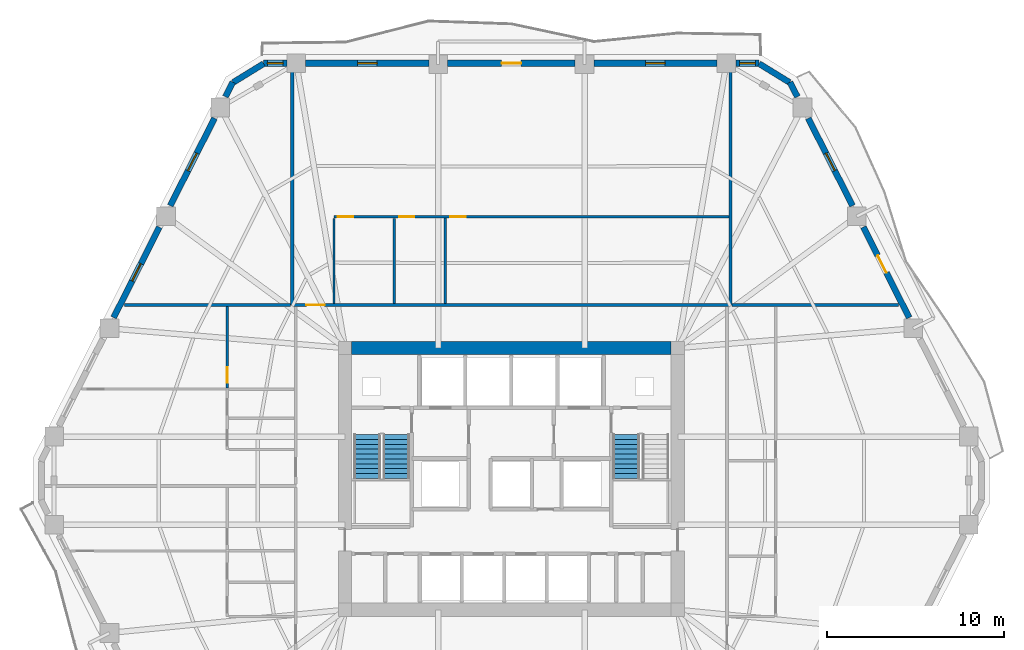
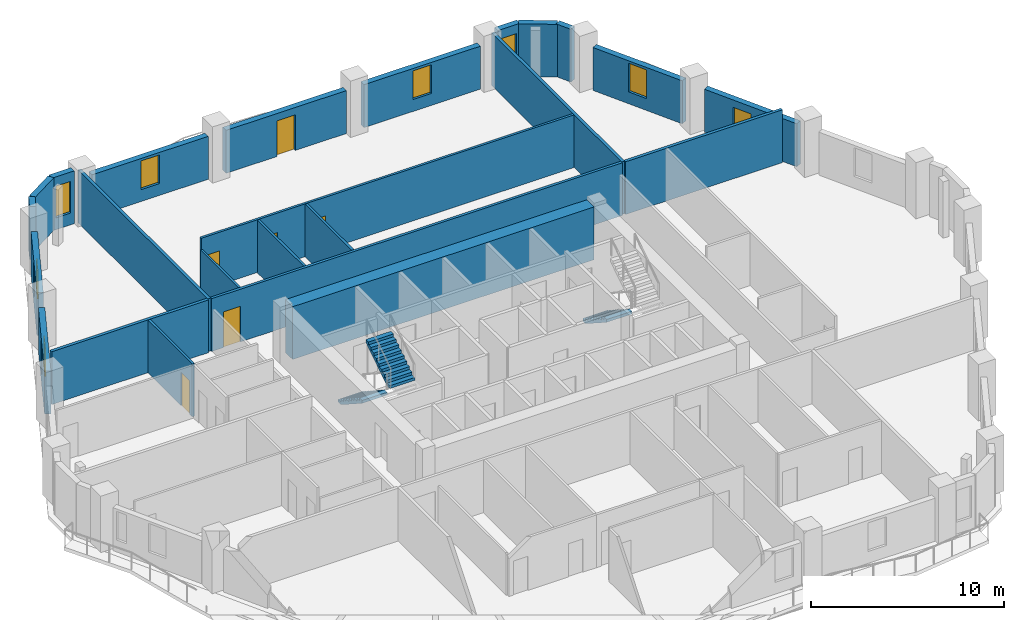
# One storey, part 7 of 11: 24 walls, 7 doors, 7 windows, 3 stair flights, 14 openings, 2 elements without a shape of their own.
"""IFC4 building model written with IfcOpenShell, lengths in metres."""

from ifc_helpers import new_model, si_unit, direction, frame, frame_2d, origin, place, context, subcontext, project, spatial, polyline, rectangle, outline, extrude, material, layer, layer_set, type_object, element, fill, aggregate, save


model = new_model("IFC4")

# Units and contexts
model_context = context("Model", 3, precision=1e-05, world=origin(), true_north=direction((0.0, 1.0)))
body_context = subcontext(model_context, "Body", "Model", "MODEL_VIEW")
ifc_project = project(units=[si_unit("LENGTHUNIT", "METRE"), si_unit("AREAUNIT", "SQUARE_METRE"), si_unit("VOLUMEUNIT", "CUBIC_METRE"), si_unit("PLANEANGLEUNIT", "RADIAN"), si_unit("MASSUNIT", "GRAM", prefix="KILO")], contexts=[model_context])

# Site, building, storey
site_placement = place(None, origin())
site = spatial("IfcSite", under=ifc_project, at=site_placement, CompositionType="ELEMENT")
building_placement = place(site_placement, origin())
building = spatial("IfcBuilding", under=site, at=building_placement, Name="Cinnabar Lancet Tower", CompositionType="ELEMENT")
storey_placement = place(building_placement, frame((0.0, 0.0, 90.64990234375)))
storey = spatial("IfcBuildingStorey", under=building, at=storey_placement, Name="L23", CompositionType="ELEMENT", Elevation=90.64990234375)

# Wall, opening, door
ifc_material_1 = material(Name="Acoustic twin-stud gypsum partition", Category="gypsum")
ifc_layer_1 = layer(ifc_material_1, 0.159912109375)
ifc_layer_set_1 = layer_set([ifc_layer_1], Name="Acoustic twin-stud gypsum partition")
wall_type_1 = type_object("IfcWallType", Name="ARC-WL-CORR-160", PredefinedType="PARTITIONING", material=ifc_layer_set_1)
wall_1_placement = place(storey_placement, frame((20.14501953125, 35.699951171875, 0.0), z_axis=(0.0, 0.0, 1.0), x_axis=(1.0, 0.0, 0.0)))
wall_1 = element("IfcWall", 1, at=wall_1_placement, inside=storey, type_object=wall_type_1, Name="L23 Unit N01 Corridor Wall", PredefinedType="PARTITIONING", context=body_context, shape_type="SweptSolid", body=[
    extrude(rectangle(XDim=24.510009765625, YDim=0.159912109375, at=frame_2d((12.2548828125, 0.0))), origin(), (0.0, 0.0, 1.0), 3.330078125),
])
opening_1_placement = place(wall_1_placement, frame((0.705078125, 0.0, 0.0)))
opening_1 = element("IfcOpeningElement", 2, at=opening_1_placement, cuts=wall_1, Name="Opening UD-01", PredefinedType="OPENING", context=body_context, shape_type="SweptSolid", body=[
    extrude(rectangle(XDim=1.02001953125, YDim=2.25, at=frame_2d((0.510009765625, 1.125))), frame((0.0, 0.08984375, 0.0), z_axis=(0.0, -1.0, 0.0), x_axis=(1.0, 0.0, 0.0)), (0.0, 0.0, 1.0), 0.179931640625),
])
ifc_material_2 = material(Name="Solid timber fire-rated apartment entrance door", Category="wood")
door_type_1 = type_object("IfcDoorType", Name="ARC-DR-UNIT", OperationType="NOTDEFINED", PredefinedType="DOOR", material=ifc_material_2)
door_1_placement = place(opening_1_placement, origin())
door_1 = element("IfcDoor", 3, at=door_1_placement, inside=storey, type_object=door_type_1, Name="DR-L23-N01-ENT", OperationType="SINGLE_SWING_RIGHT", OverallHeight=2.25, OverallWidth=1.02001953125, PredefinedType="DOOR", context=body_context, shape_type="SweptSolid", body=[
    extrude(rectangle(XDim=1.02001953125, YDim=2.25, at=frame_2d((0.510009765625, 1.125))), frame((0.0, 0.02490234375, 0.0), z_axis=(0.0, -1.0, 0.0), x_axis=(1.0, 0.0, 0.0)), (0.0, 0.0, 1.0), 0.050048828125),
])
fill(opening_1, door_1)

# Walls
ifc_material_3 = material(Name="Fire-rated twin-frame acoustic drywall", Category="gypsum")
ifc_layer_2 = layer(ifc_material_3, 0.179931640625)
ifc_layer_set_2 = layer_set([ifc_layer_2], Name="Fire-rated twin-frame acoustic drywall")
wall_type_2 = type_object("IfcWallType", Name="ARC-WL-PARTY-180", PredefinedType="PARTITIONING", material=ifc_layer_set_2)
for number, where, z_axis, x_axis, name in (
    (4, (20.050048828125, 35.699951171875, 0.0), (0.0, 0.0, 1.0), (0.0, 1.0, 0.0), "PW-L23-NPTY-200"),
    (5, (44.75, 35.699951171875, 0.0), (0.0, 0.0, 1.0), (0.0, 1.0, 0.0), "PW-L23-NPTY-448"),
):
    element("IfcWall", number, at=place(storey_placement, frame(where, z_axis=z_axis, x_axis=x_axis)), inside=storey, type_object=wall_type_2, Name=name, PredefinedType="PARTITIONING", context=body_context, shape_type="SweptSolid", body=[
        extrude(rectangle(XDim=13.445068359375, YDim=0.179931640625, at=frame_2d((6.72265625, 0.0))), origin(), (0.0, 0.0, 1.0), 3.330078125),
    ])
for number, where, z_axis, x_axis, name in (
    (6, (10.589111328125, 35.699951171875, 0.0), (0.0, 0.0, 1.0), (1.0, 0.0, 0.0), "PW-L23-WNB"),
    (7, (44.844970703125, 35.699951171875, 0.0), (0.0, 0.0, 1.0), (1.0, 0.0, 0.0), "PW-L23-ENB"),
):
    element("IfcWall", number, at=place(storey_placement, frame(where, z_axis=z_axis, x_axis=x_axis)), inside=storey, type_object=wall_type_2, Name=name, PredefinedType="PARTITIONING", context=body_context, shape_type="SweptSolid", body=[
        extrude(rectangle(XDim=9.365966796875, YDim=0.179931640625, at=frame_2d((4.68310546875, 0.0))), origin(), (0.0, 0.0, 1.0), 3.330078125),
    ])
ifc_material_4 = material(Name="Gypsum plasterboard stud partition", Category="gypsum")
ifc_layer_3 = layer(ifc_material_4, 0.125)
ifc_layer_set_3 = layer_set([ifc_layer_3], Name="Gypsum plasterboard stud partition")
wall_type_3 = type_object("IfcWallType", Name="ARC-WL-UNIT-125", PredefinedType="PARTITIONING", material=ifc_layer_set_3)
wall_2_placement = place(storey_placement, frame((22.39990234375, 35.784912109375, 0.0), z_axis=(0.0, 0.0, 1.0), x_axis=(0.0, 1.0, 0.0)))
element("IfcWall", 8, at=wall_2_placement, inside=storey, type_object=wall_type_3, Name="UW-L23-N01-FOYE", PredefinedType="PARTITIONING", context=body_context, shape_type="SweptSolid", body=[
    extrude(rectangle(XDim=4.78515625, YDim=0.125, at=frame_2d((2.392578125, 0.0))), origin(), (0.0, 0.0, 1.0), 2.63720703125),
])

# Wall, openings, doors
ifc_material_5 = material(Name="Moisture-resistant cement-board plumbing wall", Category="masonry")
ifc_layer_4 = layer(ifc_material_5, 0.139892578125)
ifc_layer_set_4 = layer_set([ifc_layer_4], Name="Moisture-resistant cement-board plumbing wall")
wall_type_4 = type_object("IfcWallType", Name="ARC-WL-WET-140", PredefinedType="PLUMBINGWALL", material=ifc_layer_set_4)
wall_3_placement = place(storey_placement, frame((22.39990234375, 40.675048828125, 0.0), z_axis=(0.0, 0.0, 1.0), x_axis=(1.0, 0.0, 0.0)))
wall_3 = element("IfcWall", 9, at=wall_3_placement, inside=storey, type_object=wall_type_4, Name="UW-L23-N01-SPL", PredefinedType="PLUMBINGWALL", context=body_context, shape_type="SweptSolid", body=[
    extrude(rectangle(XDim=22.255126953125, YDim=0.139892578125, at=frame_2d((11.12744140625, 0.0))), origin(), (0.0, 0.0, 1.0), 3.330078125),
])
opening_2_placement = place(wall_3_placement, frame((3.679931640625, 0.0, 0.0)))
opening_2 = element("IfcOpeningElement", 10, at=opening_2_placement, cuts=wall_3, Name="Opening BD-01", PredefinedType="OPENING", context=body_context, shape_type="SweptSolid", body=[
    extrude(rectangle(XDim=0.860107421875, YDim=2.10009765625, at=frame_2d((0.43017578125, 1.050048828125))), frame((0.0, 0.079833984375, 0.0), z_axis=(0.0, -1.0, 0.0), x_axis=(1.0, 0.0, 0.0)), (0.0, 0.0, 1.0), 0.159912109375),
])
opening_3_placement = place(wall_3_placement, frame((6.5458984375, 0.0, 0.0)))
opening_3 = element("IfcOpeningElement", 11, at=opening_3_placement, cuts=wall_3, Name="Opening RD-02", PredefinedType="OPENING", context=body_context, shape_type="SweptSolid", body=[
    extrude(rectangle(XDim=0.8798828125, YDim=2.14990234375, at=frame_2d((0.43994140625, 1.074951171875))), frame((0.0, 0.079833984375, 0.0), z_axis=(0.0, -1.0, 0.0), x_axis=(1.0, 0.0, 0.0)), (0.0, 0.0, 1.0), 0.159912109375),
])
opening_4_placement = place(wall_3_placement, frame((0.219970703125, 0.0, 0.0)))
opening_4 = element("IfcOpeningElement", 12, at=opening_4_placement, cuts=wall_3, Name="Opening RD-02", PredefinedType="OPENING", context=body_context, shape_type="SweptSolid", body=[
    extrude(rectangle(XDim=0.8798828125, YDim=2.14990234375, at=frame_2d((0.43994140625, 1.074951171875))), frame((0.0, 0.079833984375, 0.0), z_axis=(0.0, -1.0, 0.0), x_axis=(1.0, 0.0, 0.0)), (0.0, 0.0, 1.0), 0.159912109375),
])
ifc_material_6 = material(Name="Moisture-resistant timber bathroom door", Category="wood")
door_type_2 = type_object("IfcDoorType", Name="ARC-DR-BATH", OperationType="NOTDEFINED", PredefinedType="DOOR", material=ifc_material_6)
door_2_placement = place(opening_2_placement, origin())
door_2 = element("IfcDoor", 13, at=door_2_placement, inside=storey, type_object=door_type_2, Name="DR-L23-N01-BTH", OperationType="SINGLE_SWING_RIGHT", OverallHeight=2.10009765625, OverallWidth=0.860107421875, PredefinedType="DOOR", context=body_context, shape_type="SweptSolid", body=[
    extrude(rectangle(XDim=0.860107421875, YDim=2.10009765625, at=frame_2d((0.43017578125, 1.050048828125))), frame((0.0, 0.02490234375, 0.0), z_axis=(0.0, -1.0, 0.0), x_axis=(1.0, 0.0, 0.0)), (0.0, 0.0, 1.0), 0.050048828125),
])
fill(opening_2, door_2)
ifc_material_7 = material(Name="Engineered timber study door", Category="wood")
door_type_3 = type_object("IfcDoorType", Name="ARC-DR-STUDY", OperationType="NOTDEFINED", PredefinedType="DOOR", material=ifc_material_7)
door_3_placement = place(opening_3_placement, origin())
door_3 = element("IfcDoor", 14, at=door_3_placement, inside=storey, type_object=door_type_3, Name="DR-L23-N01-BTH-WDR", OperationType="SINGLE_SWING_LEFT", OverallHeight=2.14990234375, OverallWidth=0.8798828125, PredefinedType="DOOR", context=body_context, shape_type="SweptSolid", body=[
    extrude(rectangle(XDim=0.8798828125, YDim=2.14990234375, at=frame_2d((0.43994140625, 1.074951171875))), frame((0.0, 0.02490234375, 0.0), z_axis=(0.0, -1.0, 0.0), x_axis=(1.0, 0.0, 0.0)), (0.0, 0.0, 1.0), 0.050048828125),
])
fill(opening_3, door_3)
door_4_placement = place(opening_4_placement, origin())
door_4 = element("IfcDoor", 15, at=door_4_placement, inside=storey, type_object=door_type_3, Name="DR-L23-N01-KIT", OperationType="SINGLE_SWING_LEFT", OverallHeight=2.14990234375, OverallWidth=0.8798828125, PredefinedType="DOOR", context=body_context, shape_type="SweptSolid", body=[
    extrude(rectangle(XDim=0.8798828125, YDim=2.14990234375, at=frame_2d((0.43994140625, 1.074951171875))), frame((0.0, 0.02490234375, 0.0), z_axis=(0.0, -1.0, 0.0), x_axis=(1.0, 0.0, 0.0)), (0.0, 0.0, 1.0), 0.050048828125),
])
fill(opening_4, door_4)

# Walls
wall_4_placement = place(storey_placement, frame((25.800048828125, 35.784912109375, 0.0), z_axis=(0.0, 0.0, 1.0), x_axis=(0.0, 1.0, 0.0)))
element("IfcWall", 16, at=wall_4_placement, inside=storey, type_object=wall_type_4, Name="UW-L23-N01-KDV", PredefinedType="PLUMBINGWALL", context=body_context, shape_type="SweptSolid", body=[
    extrude(rectangle(XDim=4.78515625, YDim=0.139892578125, at=frame_2d((2.392578125, 0.0))), origin(), (0.0, 0.0, 1.0), 3.330078125),
])
wall_5_placement = place(storey_placement, frame((28.666015625, 35.784912109375, 0.0), z_axis=(0.0, 0.0, 1.0), x_axis=(0.0, 1.0, 0.0)))
element("IfcWall", 17, at=wall_5_placement, inside=storey, type_object=wall_type_4, Name="UW-L23-N01-BTH-WDV", PredefinedType="PLUMBINGWALL", context=body_context, shape_type="SweptSolid", body=[
    extrude(rectangle(XDim=4.80517578125, YDim=0.139892578125, at=frame_2d((2.402587890625, 0.0))), origin(), (0.0, 0.0, 1.0), 3.330078125),
])

# Wall, opening, door
wall_6_placement = place(storey_placement, frame((16.39990234375, 31.028076171875, 0.0), z_axis=(0.0, 0.0, 1.0), x_axis=(0.0, 1.0, 0.0)))
wall_6 = element("IfcWall", 18, at=wall_6_placement, inside=storey, type_object=wall_type_4, Name="UW-L23-W02-SPM", PredefinedType="PLUMBINGWALL", context=body_context, shape_type="SweptSolid", body=[
    extrude(rectangle(XDim=4.576904296875, YDim=0.139892578125, at=frame_2d((2.28857421875, 0.0))), origin(), (0.0, 0.0, 1.0), 3.330078125),
])
opening_5_placement = place(wall_6_placement, frame((0.300048828125, 0.0, 0.0)))
opening_5 = element("IfcOpeningElement", 19, at=opening_5_placement, cuts=wall_6, Name="Opening BD-01", PredefinedType="OPENING", context=body_context, shape_type="SweptSolid", body=[
    extrude(rectangle(XDim=0.860107421875, YDim=2.10009765625, at=frame_2d((0.43017578125, 1.050048828125))), frame((0.0, 0.079833984375, 0.0), z_axis=(0.0, -1.0, 0.0), x_axis=(1.0, 0.0, 0.0)), (0.0, 0.0, 1.0), 0.159912109375),
])
door_5_placement = place(opening_5_placement, origin())
door_5 = element("IfcDoor", 20, at=door_5_placement, inside=storey, type_object=door_type_2, Name="DR-L23-W02-ENS", OperationType="SINGLE_SWING_RIGHT", OverallHeight=2.10009765625, OverallWidth=0.860107421875, PredefinedType="DOOR", context=body_context, shape_type="SweptSolid", body=[
    extrude(rectangle(XDim=0.860107421875, YDim=2.10009765625, at=frame_2d((0.43017578125, 1.050048828125))), frame((0.0, 0.02490234375, 0.0), z_axis=(0.0, -1.0, 0.0), x_axis=(1.0, 0.0, 0.0)), (0.0, 0.0, 1.0), 0.050048828125),
])
fill(opening_5, door_5)

# Walls
ifc_material_8 = material(Name="Cinnabar red clay brick", Category="masonry")
ifc_layer_5 = layer(ifc_material_8, 0.340087890625)
ifc_layer_set_5 = layer_set([ifc_layer_5], Name="Cinnabar red clay brick")
wall_type_5 = type_object("IfcWallType", Name="ENV-WL-BRK-RED-340", PredefinedType="STANDARD", material=ifc_layer_set_5)
for number, where, z_axis, x_axis, name in (
    (21, (48.080078125, 48.238037109375, 0.0), (0.0, 0.0, 1.0), (-0.851870104345, 0.523753114857, 0.0), "L23 Chamfered Corner Brick Pier 4.1"),
    (22, (18.43896484375, 49.294921875, 0.0), (0.0, 0.0, 1.0), (-0.851870104345, -0.523753114857, 0.0), "L23 Chamfered Corner Brick Pier 5.1"),
):
    element("IfcWall", number, at=place(storey_placement, frame(where, z_axis=z_axis, x_axis=x_axis)), inside=storey, type_object=wall_type_5, Name=name, PredefinedType="STANDARD", context=body_context, shape_type="SweptSolid", body=[
        extrude(rectangle(XDim=2.017822265625, YDim=0.340087890625, at=frame_2d((1.0087890625, 0.0))), origin(), (0.0, 0.0, 1.0), 3.330078125),
    ])

# Wall, opening, door
wall_7_placement = place(storey_placement, frame((54.81396484375, 34.986083984375, 0.0), z_axis=(0.0, 0.0, 1.0), x_axis=(-0.451633893529, 0.892203354744, 0.0)))
wall_7 = element("IfcWall", 23, at=wall_7_placement, inside=storey, type_object=wall_type_5, Name="L23 Face 3 Masonry Bay Wall 3", PredefinedType="STANDARD", context=body_context, shape_type="SweptSolid", body=[
    extrude(rectangle(XDim=5.71484375, YDim=0.340087890625, at=frame_2d((2.857421875, 0.0))), origin(), (0.0, 0.0, 1.0), 2.712158203125),
])
opening_6_placement = place(wall_7_placement, frame((2.8330078125, 0.0, 0.0)))
opening_6 = element("IfcOpeningElement", 24, at=opening_6_placement, cuts=wall_7, Name="Opening TD-01", PredefinedType="OPENING", context=body_context, shape_type="SweptSolid", body=[
    extrude(rectangle(XDim=1.10009765625, YDim=2.25, at=frame_2d((0.550048828125, 1.125))), frame((0.0, 0.179931640625, 0.0), z_axis=(0.0, -1.0, 0.0), x_axis=(1.0, 0.0, 0.0)), (0.0, 0.0, 1.0), 0.360107421875),
])
ifc_material_9 = material(Name="Thermally broken low-E glazed balcony terrace door", Category="wood")
door_type_4 = type_object("IfcDoorType", Name="ARC-DR-BALC", OperationType="NOTDEFINED", PredefinedType="DOOR", material=ifc_material_9)
door_6_placement = place(opening_6_placement, origin())
door_6 = element("IfcDoor", 25, at=door_6_placement, inside=storey, type_object=door_type_4, Name="L23 Face 3 Glazed Terrace Door", OperationType="SINGLE_SWING_RIGHT", OverallHeight=2.25, OverallWidth=1.10009765625, PredefinedType="DOOR", context=body_context, shape_type="SweptSolid", body=[
    extrude(rectangle(XDim=1.10009765625, YDim=2.25, at=frame_2d((0.550048828125, 1.125))), frame((0.0, 0.02490234375, 0.0), z_axis=(0.0, -1.0, 0.0), x_axis=(1.0, 0.0, 0.0)), (0.0, 0.0, 1.0), 0.050048828125),
])
fill(opening_6, door_6)

# Wall, opening, window
wall_8_placement = place(storey_placement, frame((51.62109375, 41.297119140625, 0.0), z_axis=(0.0, 0.0, 1.0), x_axis=(-0.451737622594, 0.892150839451, 0.0)))
wall_8 = element("IfcWall", 26, at=wall_8_placement, inside=storey, type_object=wall_type_5, Name="L23 Face 3 Masonry Bay Wall 4", PredefinedType="STANDARD", context=body_context, shape_type="SweptSolid", body=[
    extrude(rectangle(XDim=5.51904296875, YDim=0.340087890625, at=frame_2d((2.759521484375, 0.0))), origin(), (0.0, 0.0, 1.0), 2.712158203125),
])
opening_7_placement = place(wall_8_placement, frame((2.2099609375, 0.0, 0.75)))
opening_7 = element("IfcOpeningElement", 27, at=opening_7_placement, cuts=wall_8, Name="Opening WN-04", PredefinedType="OPENING", context=body_context, shape_type="SweptSolid", body=[
    extrude(rectangle(XDim=1.10009765625, YDim=1.81201171875, at=frame_2d((0.550048828125, 0.906005859375))), frame((0.0, 0.179931640625, 0.0), z_axis=(0.0, -1.0, 0.0), x_axis=(1.0, 0.0, 0.0)), (0.0, 0.0, 1.0), 0.360107421875),
])
ifc_material_10 = material(Name="Thermally broken bronze-anodized aluminium tall lancet window", Category="aluminium")
window_type = type_object("IfcWindowType", Name="ENV-WN-LANCET-1100", PartitioningType="SINGLE_PANEL", PredefinedType="WINDOW", material=ifc_material_10)
window_1_placement = place(opening_7_placement, origin())
window_1 = element("IfcWindow", 28, at=window_1_placement, inside=storey, type_object=window_type, Name="L23 Face 3 Gothic Lancet Window 4", OverallHeight=1.81201171875, OverallWidth=1.10009765625, PartitioningType="SINGLE_PANEL", PredefinedType="WINDOW", context=body_context, shape_type="SweptSolid", body=[
    extrude(rectangle(XDim=1.10009765625, YDim=1.81201171875, at=frame_2d((0.550048828125, 0.906005859375))), frame((0.0, 0.030029296875, 0.0), z_axis=(0.0, -1.0, 0.0), x_axis=(1.0, 0.0, 0.0)), (0.0, 0.0, 1.0), 0.06005859375),
])
fill(opening_7, window_1)

# Wall
wall_9_placement = place(storey_placement, frame((48.51611328125, 47.43310546875, 0.0), z_axis=(0.0, 0.0, 1.0), x_axis=(-0.452088642812, 0.891973014749, 0.0)))
element("IfcWall", 29, at=wall_9_placement, inside=storey, type_object=wall_type_5, Name="L23 Face 3 Masonry Bay Wall 5", PredefinedType="STANDARD", context=body_context, shape_type="SweptSolid", body=[
    extrude(rectangle(XDim=0.920166015625, YDim=0.340087890625, at=frame_2d((0.4599609375, 0.0))), origin(), (0.0, 0.0, 1.0), 3.330078125),
])

# Wall, opening, window
wall_10_placement = place(storey_placement, frame((46.365966796875, 49.320068359375, 0.0), z_axis=(0.0, 0.0, 1.0), x_axis=(-1.0, 0.0, 0.0)))
wall_10 = element("IfcWall", 30, at=wall_10_placement, inside=storey, type_object=wall_type_5, Name="L23 Face 4 Masonry Bay Wall 1", PredefinedType="STANDARD", context=body_context, shape_type="SweptSolid", body=[
    extrude(rectangle(XDim=1.320068359375, YDim=0.340087890625, at=frame_2d((0.66015625, 0.0))), origin(), (0.0, 0.0, 1.0), 3.330078125),
])
opening_8_placement = place(wall_10_placement, frame((0.219970703125, 0.0, 0.75)))
opening_8 = element("IfcOpeningElement", 31, at=opening_8_placement, cuts=wall_10, Name="Opening WN-04", PredefinedType="OPENING", context=body_context, shape_type="SweptSolid", body=[
    extrude(rectangle(XDim=0.8798828125, YDim=2.0, at=frame_2d((0.43994140625, 1.0))), frame((0.0, 0.179931640625, 0.0), z_axis=(0.0, -1.0, 0.0), x_axis=(1.0, 0.0, 0.0)), (0.0, 0.0, 1.0), 0.360107421875),
])
window_2_placement = place(opening_8_placement, origin())
window_2 = element("IfcWindow", 32, at=window_2_placement, inside=storey, type_object=window_type, Name="L23 Split-Bay Gothic Lancet Window 75", OverallHeight=2.0, OverallWidth=0.8798828125, PartitioningType="SINGLE_PANEL", PredefinedType="WINDOW", context=body_context, shape_type="SweptSolid", body=[
    extrude(rectangle(XDim=0.8798828125, YDim=2.0, at=frame_2d((0.43994140625, 1.0))), frame((0.0, 0.030029296875, 0.0), z_axis=(0.0, -1.0, 0.0), x_axis=(1.0, 0.0, 0.0)), (0.0, 0.0, 1.0), 0.06005859375),
])
fill(opening_8, window_2)

wall_11_placement = place(storey_placement, frame((43.988037109375, 49.320068359375, 0.0), z_axis=(0.0, 0.0, 1.0), x_axis=(-1.0, 0.0, 0.0)))
wall_11 = element("IfcWall", 33, at=wall_11_placement, inside=storey, type_object=wall_type_5, Name="L23 Face 4 Masonry Bay Wall 2", PredefinedType="STANDARD", context=body_context, shape_type="SweptSolid", body=[
    extrude(rectangle(XDim=6.93701171875, YDim=0.340087890625, at=frame_2d((3.468505859375, 0.0))), origin(), (0.0, 0.0, 1.0), 2.712158203125),
])
opening_9_placement = place(wall_11_placement, frame((2.91796875, 0.0, 0.75)))
opening_9 = element("IfcOpeningElement", 34, at=opening_9_placement, cuts=wall_11, Name="Opening WN-04", PredefinedType="OPENING", context=body_context, shape_type="SweptSolid", body=[
    extrude(rectangle(XDim=1.10009765625, YDim=1.81201171875, at=frame_2d((0.550048828125, 0.906005859375))), frame((0.0, 0.179931640625, 0.0), z_axis=(0.0, -1.0, 0.0), x_axis=(1.0, 0.0, 0.0)), (0.0, 0.0, 1.0), 0.360107421875),
])
window_3_placement = place(opening_9_placement, origin())
window_3 = element("IfcWindow", 35, at=window_3_placement, inside=storey, type_object=window_type, Name="L23 Face 4 Gothic Lancet Window 2", OverallHeight=1.81201171875, OverallWidth=1.10009765625, PartitioningType="SINGLE_PANEL", PredefinedType="WINDOW", context=body_context, shape_type="SweptSolid", body=[
    extrude(rectangle(XDim=1.10009765625, YDim=1.81201171875, at=frame_2d((0.550048828125, 0.906005859375))), frame((0.0, 0.030029296875, 0.0), z_axis=(0.0, -1.0, 0.0), x_axis=(1.0, 0.0, 0.0)), (0.0, 0.0, 1.0), 0.06005859375),
])
fill(opening_9, window_3)

# Wall, opening, door
wall_12_placement = place(storey_placement, frame((35.992919921875, 49.320068359375, 0.0), z_axis=(0.0, 0.0, 1.0), x_axis=(-1.0, 0.0, 0.0)))
wall_12 = element("IfcWall", 36, at=wall_12_placement, inside=storey, type_object=wall_type_5, Name="L23 Face 4 Masonry Bay Wall 3", PredefinedType="STANDARD", context=body_context, shape_type="SweptSolid", body=[
    extrude(rectangle(XDim=7.18603515625, YDim=0.340087890625, at=frame_2d((3.593017578125, 0.0))), origin(), (0.0, 0.0, 1.0), 2.712158203125),
])
opening_10_placement = place(wall_12_placement, frame((3.04296875, 0.0, 0.0)))
opening_10 = element("IfcOpeningElement", 37, at=opening_10_placement, cuts=wall_12, Name="Opening TD-01", PredefinedType="OPENING", context=body_context, shape_type="SweptSolid", body=[
    extrude(rectangle(XDim=1.10009765625, YDim=2.25, at=frame_2d((0.550048828125, 1.125))), frame((0.0, 0.179931640625, 0.0), z_axis=(0.0, -1.0, 0.0), x_axis=(1.0, 0.0, 0.0)), (0.0, 0.0, 1.0), 0.360107421875),
])
door_7_placement = place(opening_10_placement, origin())
door_7 = element("IfcDoor", 38, at=door_7_placement, inside=storey, type_object=door_type_4, Name="L23 Face 4 Glazed Terrace Door", OperationType="SINGLE_SWING_LEFT", OverallHeight=2.25, OverallWidth=1.10009765625, PredefinedType="DOOR", context=body_context, shape_type="SweptSolid", body=[
    extrude(rectangle(XDim=1.10009765625, YDim=2.25, at=frame_2d((0.550048828125, 1.125))), frame((0.0, 0.02490234375, 0.0), z_axis=(0.0, -1.0, 0.0), x_axis=(1.0, 0.0, 0.0)), (0.0, 0.0, 1.0), 0.050048828125),
])
fill(opening_10, door_7)

# Wall, opening, window
wall_13_placement = place(storey_placement, frame((27.7490234375, 49.320068359375, 0.0), z_axis=(0.0, 0.0, 1.0), x_axis=(-1.0, 0.0, 0.0)))
wall_13 = element("IfcWall", 39, at=wall_13_placement, inside=storey, type_object=wall_type_5, Name="L23 Face 4 Masonry Bay Wall 4", PredefinedType="STANDARD", context=body_context, shape_type="SweptSolid", body=[
    extrude(rectangle(XDim=6.93701171875, YDim=0.340087890625, at=frame_2d((3.468505859375, 0.0))), origin(), (0.0, 0.0, 1.0), 2.712158203125),
])
opening_11_placement = place(wall_13_placement, frame((2.91796875, 0.0, 0.75)))
opening_11 = element("IfcOpeningElement", 40, at=opening_11_placement, cuts=wall_13, Name="Opening WN-04", PredefinedType="OPENING", context=body_context, shape_type="SweptSolid", body=[
    extrude(rectangle(XDim=1.10009765625, YDim=1.81201171875, at=frame_2d((0.550048828125, 0.906005859375))), frame((0.0, 0.179931640625, 0.0), z_axis=(0.0, -1.0, 0.0), x_axis=(1.0, 0.0, 0.0)), (0.0, 0.0, 1.0), 0.360107421875),
])
window_4_placement = place(opening_11_placement, origin())
window_4 = element("IfcWindow", 41, at=window_4_placement, inside=storey, type_object=window_type, Name="L23 Face 4 Gothic Lancet Window 4", OverallHeight=1.81201171875, OverallWidth=1.10009765625, PartitioningType="SINGLE_PANEL", PredefinedType="WINDOW", context=body_context, shape_type="SweptSolid", body=[
    extrude(rectangle(XDim=1.10009765625, YDim=1.81201171875, at=frame_2d((0.550048828125, 0.906005859375))), frame((0.0, 0.030029296875, 0.0), z_axis=(0.0, -1.0, 0.0), x_axis=(1.0, 0.0, 0.0)), (0.0, 0.0, 1.0), 0.06005859375),
])
fill(opening_11, window_4)

wall_14_placement = place(storey_placement, frame((19.75390625, 49.320068359375, 0.0), z_axis=(0.0, 0.0, 1.0), x_axis=(-1.0, 0.0, 0.0)))
wall_14 = element("IfcWall", 42, at=wall_14_placement, inside=storey, type_object=wall_type_5, Name="L23 Face 4 Masonry Bay Wall 5", PredefinedType="STANDARD", context=body_context, shape_type="SweptSolid", body=[
    extrude(rectangle(XDim=1.31982421875, YDim=0.340087890625, at=frame_2d((0.659912109375, 0.0))), origin(), (0.0, 0.0, 1.0), 3.330078125),
])
opening_12_placement = place(wall_14_placement, frame((0.219970703125, 0.0, 0.75)))
opening_12 = element("IfcOpeningElement", 43, at=opening_12_placement, cuts=wall_14, Name="Opening WN-04", PredefinedType="OPENING", context=body_context, shape_type="SweptSolid", body=[
    extrude(rectangle(XDim=0.8798828125, YDim=2.0, at=frame_2d((0.43994140625, 1.0))), frame((0.0, 0.179931640625, 0.0), z_axis=(0.0, -1.0, 0.0), x_axis=(1.0, 0.0, 0.0)), (0.0, 0.0, 1.0), 0.360107421875),
])
window_5_placement = place(opening_12_placement, origin())
window_5 = element("IfcWindow", 44, at=window_5_placement, inside=storey, type_object=window_type, Name="L23 Split-Bay Gothic Lancet Window 76", OverallHeight=2.0, OverallWidth=0.8798828125, PartitioningType="SINGLE_PANEL", PredefinedType="WINDOW", context=body_context, shape_type="SweptSolid", body=[
    extrude(rectangle(XDim=0.8798828125, YDim=2.0, at=frame_2d((0.43994140625, 1.0))), frame((0.0, 0.030029296875, 0.0), z_axis=(0.0, -1.0, 0.0), x_axis=(1.0, 0.0, 0.0)), (0.0, 0.0, 1.0), 0.06005859375),
])
fill(opening_12, window_5)

# Wall
wall_15_placement = place(storey_placement, frame((16.699951171875, 48.25390625, 0.0), z_axis=(0.0, 0.0, 1.0), x_axis=(-0.452088642812, -0.891973014749, 0.0)))
element("IfcWall", 45, at=wall_15_placement, inside=storey, type_object=wall_type_5, Name="L23 Face 5 Masonry Bay Wall 1", PredefinedType="STANDARD", context=body_context, shape_type="SweptSolid", body=[
    extrude(rectangle(XDim=0.920166015625, YDim=0.340087890625, at=frame_2d((0.4599609375, 0.0))), origin(), (0.0, 0.0, 1.0), 3.330078125),
])

# Wall, opening, window
wall_16_placement = place(storey_placement, frame((15.672119140625, 46.220947265625, 0.0), z_axis=(0.0, 0.0, 1.0), x_axis=(-0.451737622594, -0.892150839451, 0.0)))
wall_16 = element("IfcWall", 46, at=wall_16_placement, inside=storey, type_object=wall_type_5, Name="L23 Face 5 Masonry Bay Wall 2", PredefinedType="STANDARD", context=body_context, shape_type="SweptSolid", body=[
    extrude(rectangle(XDim=5.51904296875, YDim=0.340087890625, at=frame_2d((2.759521484375, 0.0))), origin(), (0.0, 0.0, 1.0), 2.712158203125),
])
opening_13_placement = place(wall_16_placement, frame((2.2099609375, 0.0, 0.75)))
opening_13 = element("IfcOpeningElement", 47, at=opening_13_placement, cuts=wall_16, Name="Opening WN-04", PredefinedType="OPENING", context=body_context, shape_type="SweptSolid", body=[
    extrude(rectangle(XDim=1.10009765625, YDim=1.81201171875, at=frame_2d((0.550048828125, 0.906005859375))), frame((0.0, 0.179931640625, 0.0), z_axis=(0.0, -1.0, 0.0), x_axis=(1.0, 0.0, 0.0)), (0.0, 0.0, 1.0), 0.360107421875),
])
window_6_placement = place(opening_13_placement, origin())
window_6 = element("IfcWindow", 48, at=window_6_placement, inside=storey, type_object=window_type, Name="L23 Face 5 Gothic Lancet Window 2", OverallHeight=1.81201171875, OverallWidth=1.10009765625, PartitioningType="SINGLE_PANEL", PredefinedType="WINDOW", context=body_context, shape_type="SweptSolid", body=[
    extrude(rectangle(XDim=1.10009765625, YDim=1.81201171875, at=frame_2d((0.550048828125, 0.906005859375))), frame((0.0, 0.030029296875, 0.0), z_axis=(0.0, -1.0, 0.0), x_axis=(1.0, 0.0, 0.0)), (0.0, 0.0, 1.0), 0.06005859375),
])
fill(opening_13, window_6)

wall_17_placement = place(storey_placement, frame((12.56689453125, 40.0849609375, 0.0), z_axis=(0.0, 0.0, 1.0), x_axis=(-0.451599886425, -0.892220568347, 0.0)))
wall_17 = element("IfcWall", 49, at=wall_17_placement, inside=storey, type_object=wall_type_5, Name="L23 Face 5 Masonry Bay Wall 3", PredefinedType="STANDARD", context=body_context, shape_type="SweptSolid", body=[
    extrude(rectangle(XDim=5.71484375, YDim=0.340087890625, at=frame_2d((2.857421875, 0.0))), origin(), (0.0, 0.0, 1.0), 2.712158203125),
])
opening_14_placement = place(wall_17_placement, frame((2.30810546875, 0.0, 0.75)))
opening_14 = element("IfcOpeningElement", 50, at=opening_14_placement, cuts=wall_17, Name="Opening WN-04", PredefinedType="OPENING", context=body_context, shape_type="SweptSolid", body=[
    extrude(rectangle(XDim=1.10009765625, YDim=1.81201171875, at=frame_2d((0.550048828125, 0.906005859375))), frame((0.0, 0.179931640625, 0.0), z_axis=(0.0, -1.0, 0.0), x_axis=(1.0, 0.0, 0.0)), (0.0, 0.0, 1.0), 0.360107421875),
])
window_7_placement = place(opening_14_placement, origin())
window_7 = element("IfcWindow", 51, at=window_7_placement, inside=storey, type_object=window_type, Name="L23 Face 5 Gothic Lancet Window 3", OverallHeight=1.81201171875, OverallWidth=1.10009765625, PartitioningType="SINGLE_PANEL", PredefinedType="WINDOW", context=body_context, shape_type="SweptSolid", body=[
    extrude(rectangle(XDim=1.10009765625, YDim=1.81201171875, at=frame_2d((0.550048828125, 0.906005859375))), frame((0.0, 0.030029296875, 0.0), z_axis=(0.0, -1.0, 0.0), x_axis=(1.0, 0.0, 0.0)), (0.0, 0.0, 1.0), 0.06005859375),
])
fill(opening_14, window_7)

# Wall
ifc_material_11 = material(Name="Concrete C70/85", Category="concrete")
ifc_layer_6 = layer(ifc_material_11, 0.75)
ifc_layer_set_6 = layer_set([ifc_layer_6], Name="Concrete C70/85")
wall_type_6 = type_object("IfcWallType", Name="STR-WL-CORE-750", PredefinedType="SHEAR", material=ifc_layer_set_6)
wall_18_placement = place(storey_placement, frame((23.39990234375, 33.27490234375, 0.0), z_axis=(0.0, 0.0, 1.0), x_axis=(1.0, 0.0, 0.0)))
element("IfcWall", 52, at=wall_18_placement, inside=storey, type_object=wall_type_6, Name="L23 Core Shear Wall N", PredefinedType="SHEAR", context=body_context, shape_type="SweptSolid", body=[
    extrude(rectangle(XDim=18.0, YDim=0.75, at=frame_2d((9.0, 0.0))), origin(), (0.0, 0.0, 1.0), 3.330078125),
])

# Stair, stair flights
ifc_material_12 = material(Name="Concrete C40/50", Category="concrete")
stair_type = type_object("IfcStairType", Name="ST-CORE", PredefinedType="HALF_TURN_STAIR", material=ifc_material_12)
stair_1_placement = place(storey_placement, origin())
stair_1 = element("IfcStair", 53, at=stair_1_placement, inside=storey, type_object=stair_type, Name="L23 ST-1", PredefinedType="HALF_TURN_STAIR")
ifc_material_13 = material(Name="Concrete C40/50", Category="concrete")
stair_flight_type = type_object("IfcStairFlightType", Name="FLIGHT-CORE", PredefinedType="STRAIGHT", material=ifc_material_13)
stair_flight_1_placement = place(storey_placement, frame((24.27490234375, 28.39990234375, 0.0), z_axis=(0.0, 0.0, 1.0), x_axis=(0.0, -1.0, 0.0)))
stair_flight_1 = element("IfcStairFlight", 54, at=stair_flight_1_placement, type_object=stair_flight_type, Name="ST-1 flight 1", NumberOfRisers=10, NumberOfTreads=9, PredefinedType="STRAIGHT", RiserHeight=0.1775, TreadLength=0.275, context=body_context, shape_type="SweptSolid", body=[
    extrude(outline(polyline([(0.0, 0.0), (0.0, 0.177490234375), (0.27490234375, 0.177490234375), (0.27490234375, 0.35498046875), (0.550048828125, 0.35498046875), (0.550048828125, 0.532470703125), (0.824951171875, 0.532470703125), (0.824951171875, 0.7099609375), (1.10009765625, 0.7099609375), (1.10009765625, 0.887451171875), (1.375, 0.887451171875), (1.375, 1.06494140625), (1.64990234375, 1.06494140625), (1.64990234375, 1.242431640625), (1.925048828125, 1.242431640625), (1.925048828125, 1.419921875), (2.199951171875, 1.419921875), (2.199951171875, 1.597412109375), (2.47509765625, 1.597412109375), (2.47509765625, 1.77490234375), (2.47509765625, 1.419189453125), (0.2763671875, 0.0), (0.0, 0.0)])), frame((0.0, 0.75, 0.0), z_axis=(0.0, -1.0, 0.0), x_axis=(1.0, 0.0, 0.0)), (0.0, 0.0, 1.0), 1.5),
])
stair_flight_2_placement = place(storey_placement, frame((25.925048828125, 25.925048828125, 1.775146484375), z_axis=(0.0, 0.0, 1.0), x_axis=(0.0, 1.0, 0.0)))
stair_flight_2 = element("IfcStairFlight", 55, at=stair_flight_2_placement, type_object=stair_flight_type, Name="ST-1 flight 2", NumberOfRisers=10, NumberOfTreads=9, PredefinedType="STRAIGHT", RiserHeight=0.1775, TreadLength=0.275, context=body_context, shape_type="SweptSolid", body=[
    extrude(outline(polyline([(0.0, 0.0), (0.0, 0.177490234375), (0.27490234375, 0.177490234375), (0.27490234375, 0.35498046875), (0.550048828125, 0.35498046875), (0.550048828125, 0.532470703125), (0.824951171875, 0.532470703125), (0.824951171875, 0.7099609375), (1.10009765625, 0.7099609375), (1.10009765625, 0.887451171875), (1.375, 0.887451171875), (1.375, 1.06494140625), (1.64990234375, 1.06494140625), (1.64990234375, 1.242431640625), (1.925048828125, 1.242431640625), (1.925048828125, 1.419921875), (2.199951171875, 1.419921875), (2.199951171875, 1.597412109375), (2.47509765625, 1.597412109375), (2.47509765625, 1.77490234375), (2.47509765625, 1.419189453125), (0.2763671875, 0.0), (0.0, 0.0)])), frame((0.0, 0.75, 0.0), z_axis=(0.0, -1.0, 0.0), x_axis=(1.0, 0.0, 0.0)), (0.0, 0.0, 1.0), 1.5),
])
aggregate(stair_1, [stair_flight_1, stair_flight_2])

# Stair, stair flight
stair_2_placement = place(storey_placement, origin())
stair_2 = element("IfcStair", 56, at=stair_2_placement, inside=storey, type_object=stair_type, Name="L23 ST-2", PredefinedType="HALF_TURN_STAIR")
stair_flight_3_placement = place(storey_placement, frame((38.875, 28.39990234375, 0.0), z_axis=(0.0, 0.0, 1.0), x_axis=(0.0, -1.0, 0.0)))
stair_flight_3 = element("IfcStairFlight", 57, at=stair_flight_3_placement, type_object=stair_flight_type, Name="ST-2 flight 1", NumberOfRisers=10, NumberOfTreads=9, PredefinedType="STRAIGHT", RiserHeight=0.1775, TreadLength=0.275, context=body_context, shape_type="SweptSolid", body=[
    extrude(outline(polyline([(0.0, 0.0), (0.0, 0.177490234375), (0.27490234375, 0.177490234375), (0.27490234375, 0.35498046875), (0.550048828125, 0.35498046875), (0.550048828125, 0.532470703125), (0.824951171875, 0.532470703125), (0.824951171875, 0.7099609375), (1.10009765625, 0.7099609375), (1.10009765625, 0.887451171875), (1.375, 0.887451171875), (1.375, 1.06494140625), (1.64990234375, 1.06494140625), (1.64990234375, 1.242431640625), (1.925048828125, 1.242431640625), (1.925048828125, 1.419921875), (2.199951171875, 1.419921875), (2.199951171875, 1.597412109375), (2.47509765625, 1.597412109375), (2.47509765625, 1.77490234375), (2.47509765625, 1.419189453125), (0.2763671875, 0.0), (0.0, 0.0)])), frame((0.0, 0.75, 0.0), z_axis=(0.0, -1.0, 0.0), x_axis=(1.0, 0.0, 0.0)), (0.0, 0.0, 1.0), 1.5),
])
aggregate(stair_2, [stair_flight_3])

save(model, "model.ifc")
